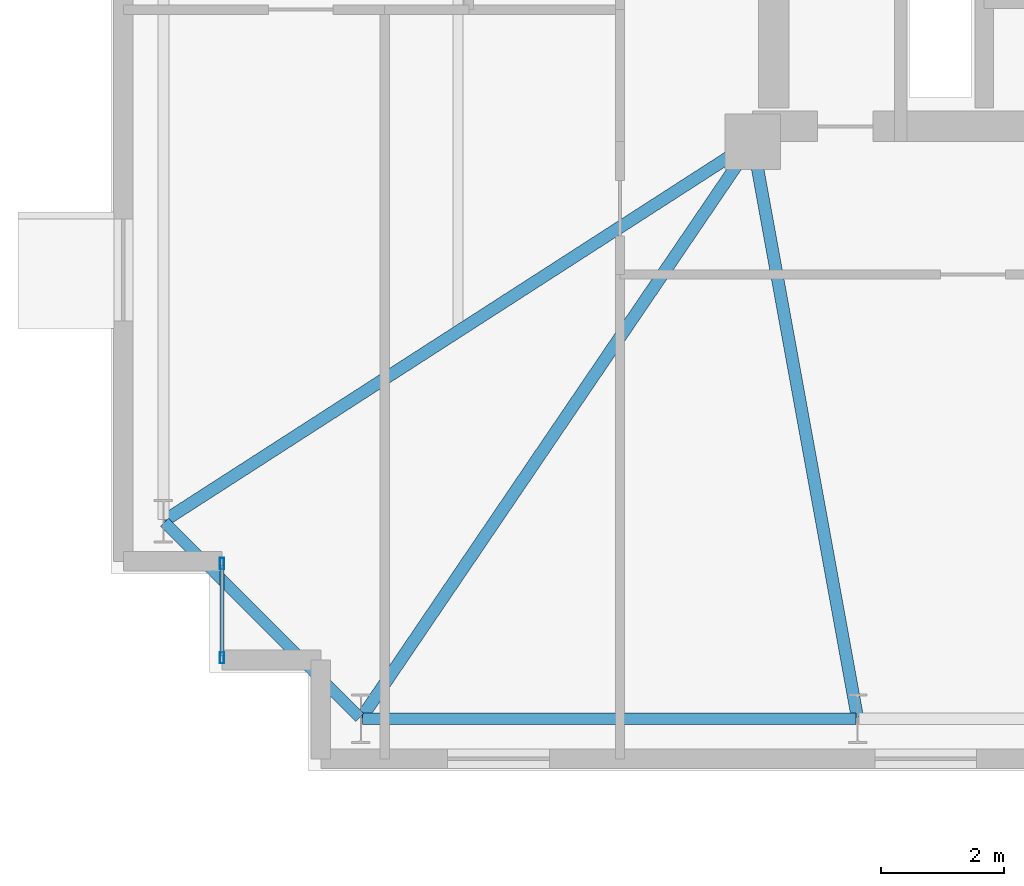
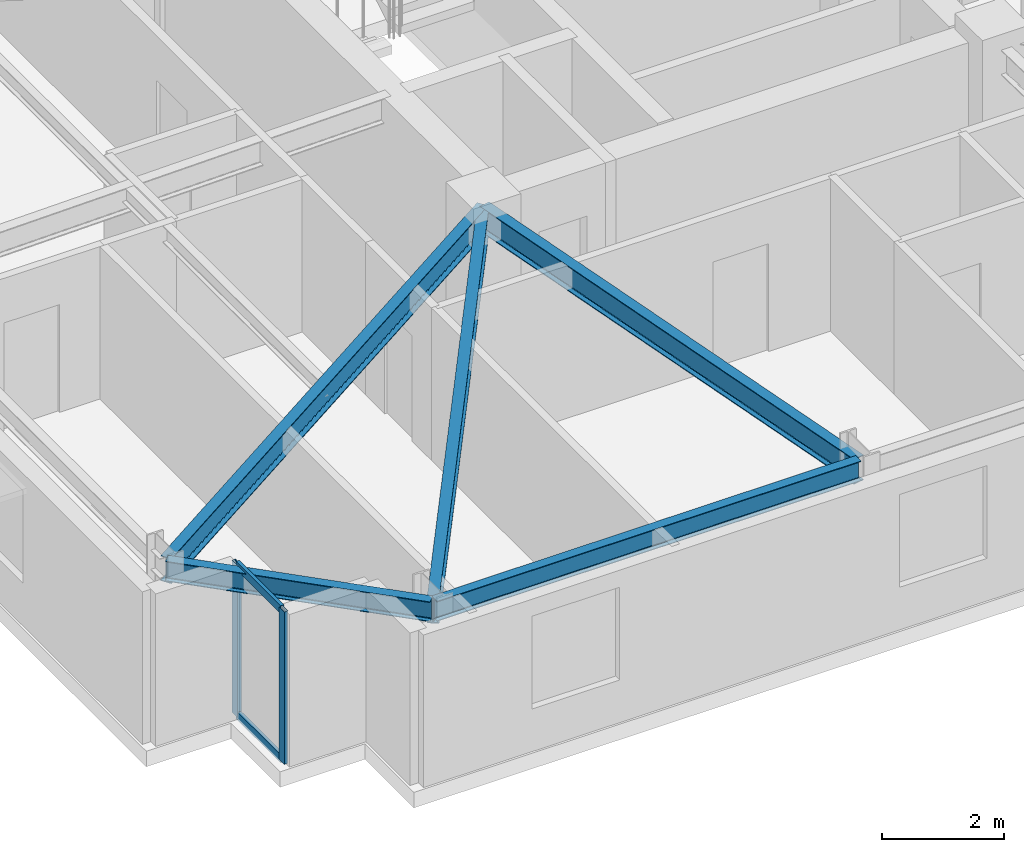
# One storey, part 3 of 17: 5 beams, 4 members, 1 element without a shape of its own.
"""IFC4 building model written with IfcOpenShell, lengths in metres."""

from ifc_helpers import new_model, si_unit, direction, frame, origin, origin_2d, place, context, subcontext, project, spatial, hollow_rectangle, i_section, extrude, material, layer, layer_set, material_profile, profile_set, type_object, element, aggregate, save


model = new_model("IFC4")

# Units and contexts
model_context = context("Model", 3, precision=1e-05, world=origin(), true_north=direction((0.0, 1.0)))
body_context = subcontext(model_context, "Body", "Model", "MODEL_VIEW")
ifc_project = project(units=[si_unit("LENGTHUNIT", "METRE"), si_unit("AREAUNIT", "SQUARE_METRE"), si_unit("VOLUMEUNIT", "CUBIC_METRE"), si_unit("PLANEANGLEUNIT", "RADIAN"), si_unit("MASSUNIT", "GRAM", prefix="KILO")], contexts=[model_context])

# Site, building, storey
site_placement = place(None, origin())
site = spatial("IfcSite", under=ifc_project, at=site_placement, CompositionType="ELEMENT")
building_placement = place(site_placement, origin())
building = spatial("IfcBuilding", under=site, at=building_placement, Name="Qobustan Lattice House", CompositionType="ELEMENT")
storey_placement = place(building_placement, frame((0.0, 0.0, 161.14990234375)))
storey = spatial("IfcBuildingStorey", under=building, at=storey_placement, Name="L45", CompositionType="ELEMENT", Elevation=161.14990234375)

# Beams
ifc_material_1 = material(Name="Steel S355", Category="steel")
ifc_material_profile_1 = material_profile(ifc_material_1, i_section(OverallWidth=0.199951171875, OverallDepth=0.5, WebThickness=0.01025390625, FlangeThickness=0.01611328125, FilletRadius=0.02099609375, at=origin_2d()), Name="IPE500")
ifc_profile_set_1 = profile_set([ifc_material_profile_1], Name="Steel S355")
beam_type_1 = type_object("IfcBeamType", Name="BM-FLG-IPE500", PredefinedType="USERDEFINED", material=ifc_profile_set_1)
beam_1_placement = place(storey_placement, frame((-25.135986328125, -14.92919921875, 2.7900390625), z_axis=(0.561834572616, 0.827249607442, 0.0), x_axis=(-0.827249607442, 0.561834572616, 0.0)))
element("IfcBeam", 1, at=beam_1_placement, inside=storey, type_object=beam_type_1, Name="L45 primary floor girder RAD-S1W", ObjectType="GIRDER", PredefinedType="USERDEFINED", context=body_context, shape_type="SweptSolid", body=[
    extrude(i_section(OverallWidth=0.199951171875, OverallDepth=0.5, WebThickness=0.01025390625, FlangeThickness=0.01611328125, FilletRadius=0.02099609375, at=origin_2d()), origin(), (0.0, 0.0, 1.0), 11.25244140625),
])
beam_2_placement = place(storey_placement, frame((-17.1044921875, -14.92529296875, 2.7900390625), z_axis=(-0.178871801984, 0.983872389314, 0.0), x_axis=(-0.983872389314, -0.178871801984, 0.0)))
element("IfcBeam", 2, at=beam_2_placement, inside=storey, type_object=beam_type_1, Name="L45 primary floor girder RAD-S2", ObjectType="GIRDER", PredefinedType="USERDEFINED", context=body_context, shape_type="SweptSolid", body=[
    extrude(i_section(OverallWidth=0.199951171875, OverallDepth=0.5, WebThickness=0.01025390625, FlangeThickness=0.01611328125, FilletRadius=0.02099609375, at=origin_2d()), origin(), (0.0, 0.0, 1.0), 9.453125),
])
beam_3_placement = place(storey_placement, frame((-28.3291015625, -11.736572265625, 2.7900390625), z_axis=(0.840746836292, 0.5414284415, 0.0), x_axis=(-0.5414284415, 0.840746836292, 0.0)))
element("IfcBeam", 3, at=beam_3_placement, inside=storey, type_object=beam_type_1, Name="L45 primary floor girder RAD-W4", ObjectType="GIRDER", PredefinedType="USERDEFINED", context=body_context, shape_type="SweptSolid", body=[
    extrude(i_section(OverallWidth=0.199951171875, OverallDepth=0.5, WebThickness=0.01025390625, FlangeThickness=0.01611328125, FilletRadius=0.02099609375, at=origin_2d()), origin(), (0.0, 0.0, 1.0), 11.30908203125),
])
ifc_material_2 = material(Name="Steel S355", Category="steel")
ifc_material_profile_2 = material_profile(ifc_material_2, i_section(OverallWidth=0.179931640625, OverallDepth=0.39990234375, WebThickness=0.008544921875, FlangeThickness=0.013427734375, FilletRadius=0.02099609375, at=origin_2d()), Name="IPE400")
ifc_profile_set_2 = profile_set([ifc_material_profile_2], Name="Steel S355")
beam_type_2 = type_object("IfcBeamType", Name="BM-SPD-IPE400", PredefinedType="SPANDREL", material=ifc_profile_set_2)
beam_4_placement = place(storey_placement, frame((-25.125, -14.949951171875, 2.840087890625), z_axis=(1.0, 0.0, 0.0), x_axis=(0.0, 1.0, 0.0)))
element("IfcBeam", 4, at=beam_4_placement, inside=storey, type_object=beam_type_2, Name="L45 perimeter spandrel S1-S2", PredefinedType="SPANDREL", context=body_context, shape_type="SweptSolid", body=[
    extrude(i_section(OverallWidth=0.179931640625, OverallDepth=0.39990234375, WebThickness=0.008544921875, FlangeThickness=0.013427734375, FilletRadius=0.02099609375, at=origin_2d()), origin(), (0.0, 0.0, 1.0), 8.0),
])
beam_5_placement = place(storey_placement, frame((-28.332275390625, -11.767578125, 2.840087890625), z_axis=(0.707079505568, -0.707134055753, 0.0), x_axis=(0.707134055753, 0.707079505568, 0.0)))
element("IfcBeam", 5, at=beam_5_placement, inside=storey, type_object=beam_type_2, Name="L45 perimeter spandrel W4-S1", PredefinedType="SPANDREL", context=body_context, shape_type="SweptSolid", body=[
    extrude(i_section(OverallWidth=0.179931640625, OverallDepth=0.39990234375, WebThickness=0.008544921875, FlangeThickness=0.013427734375, FilletRadius=0.02099609375, at=origin_2d()), origin(), (0.0, 0.0, 1.0), 4.4755859375),
])

# Curtain wall, members
ifc_material_3 = material(Name="Anodised aluminium and low-E glazing", Category="aluminium")
ifc_layer = layer(ifc_material_3, 0.219970703125)
ifc_layer_set = layer_set([ifc_layer], Name="Anodised aluminium and low-E glazing")
curtain_wall_type = type_object("IfcCurtainWallType", Name="CW-FAC-02", PredefinedType="USERDEFINED", material=ifc_layer_set)
curtain_wall_placement = place(storey_placement, origin())
curtain_wall = element("IfcCurtainWall", 6, at=curtain_wall_placement, inside=storey, type_object=curtain_wall_type, Name="L45 serrated corner faceted glazing 3", ObjectType="CURTAIN WALL", PredefinedType="USERDEFINED")
ifc_material_4 = material(Name="Anodised aluminium EN AW-6063 T6", Category="aluminium")
ifc_material_profile_3 = material_profile(ifc_material_4, hollow_rectangle(XDim=0.070068359375, YDim=0.179931640625, WallThickness=0.00439453125, at=origin_2d()), Name="CWM-180x70")
ifc_profile_set_3 = profile_set([ifc_material_profile_3], Name="Anodised aluminium EN AW-6063 T6")
member_type_1 = type_object("IfcMemberType", Name="CWM-STD-180", PredefinedType="MULLION", material=ifc_profile_set_3)
member_1_placement = place(storey_placement, frame((-27.39990234375, -13.965087890625, 0.0), z_axis=(0.0, 0.0, 1.0), x_axis=(-1.0, 0.0, 0.0)))
member_1 = element("IfcMember", 7, at=member_1_placement, type_object=member_type_1, Name="CW-F2 mullion 1", PredefinedType="MULLION", context=body_context, shape_type="SweptSolid", body=[
    extrude(hollow_rectangle(XDim=0.070068359375, YDim=0.179931640625, WallThickness=0.00439453125, at=origin_2d()), origin(), (0.0, 0.0, 1.0), 3.0400390625),
])
member_2_placement = place(storey_placement, frame((-27.39990234375, -12.43505859375, 0.0), z_axis=(0.0, 0.0, 1.0), x_axis=(-1.0, 0.0, 0.0)))
member_2 = element("IfcMember", 8, at=member_2_placement, type_object=member_type_1, Name="CW-F2 mullion 2", PredefinedType="MULLION", context=body_context, shape_type="SweptSolid", body=[
    extrude(hollow_rectangle(XDim=0.070068359375, YDim=0.179931640625, WallThickness=0.00439453125, at=origin_2d()), origin(), (0.0, 0.0, 1.0), 3.0400390625),
])
ifc_material_5 = material(Name="Anodised aluminium EN AW-6063 T6", Category="aluminium")
ifc_material_profile_4 = material_profile(ifc_material_5, hollow_rectangle(XDim=0.06494140625, YDim=0.159912109375, WallThickness=0.00390625, at=origin_2d()), Name="CWT-160x65")
ifc_profile_set_4 = profile_set([ifc_material_profile_4], Name="Anodised aluminium EN AW-6063 T6")
member_type_2 = type_object("IfcMemberType", Name="CWT-HOR-160", PredefinedType="USERDEFINED", material=ifc_profile_set_4)
member_3_placement = place(storey_placement, frame((-27.39990234375, -13.929931640625, 0.03271484375), z_axis=(0.0, 1.0, 0.0), x_axis=(-1.0, 0.0, 0.0)))
member_3 = element("IfcMember", 9, at=member_3_placement, type_object=member_type_2, Name="CW-F2 transom 1.1", ObjectType="TRANSOM", PredefinedType="USERDEFINED", context=body_context, shape_type="SweptSolid", body=[
    extrude(hollow_rectangle(XDim=0.06494140625, YDim=0.159912109375, WallThickness=0.00390625, at=origin_2d()), origin(), (0.0, 0.0, 1.0), 1.4599609375),
])
member_4_placement = place(storey_placement, frame((-27.39990234375, -13.929931640625, 3.007568359375), z_axis=(0.0, 1.0, 0.0), x_axis=(-1.0, 0.0, 0.0)))
member_4 = element("IfcMember", 10, at=member_4_placement, type_object=member_type_2, Name="CW-F2 transom 1.2", ObjectType="TRANSOM", PredefinedType="USERDEFINED", context=body_context, shape_type="SweptSolid", body=[
    extrude(hollow_rectangle(XDim=0.06494140625, YDim=0.159912109375, WallThickness=0.00390625, at=origin_2d()), origin(), (0.0, 0.0, 1.0), 1.4599609375),
])
aggregate(curtain_wall, [member_1, member_2, member_3, member_4])

save(model, "model.ifc")
